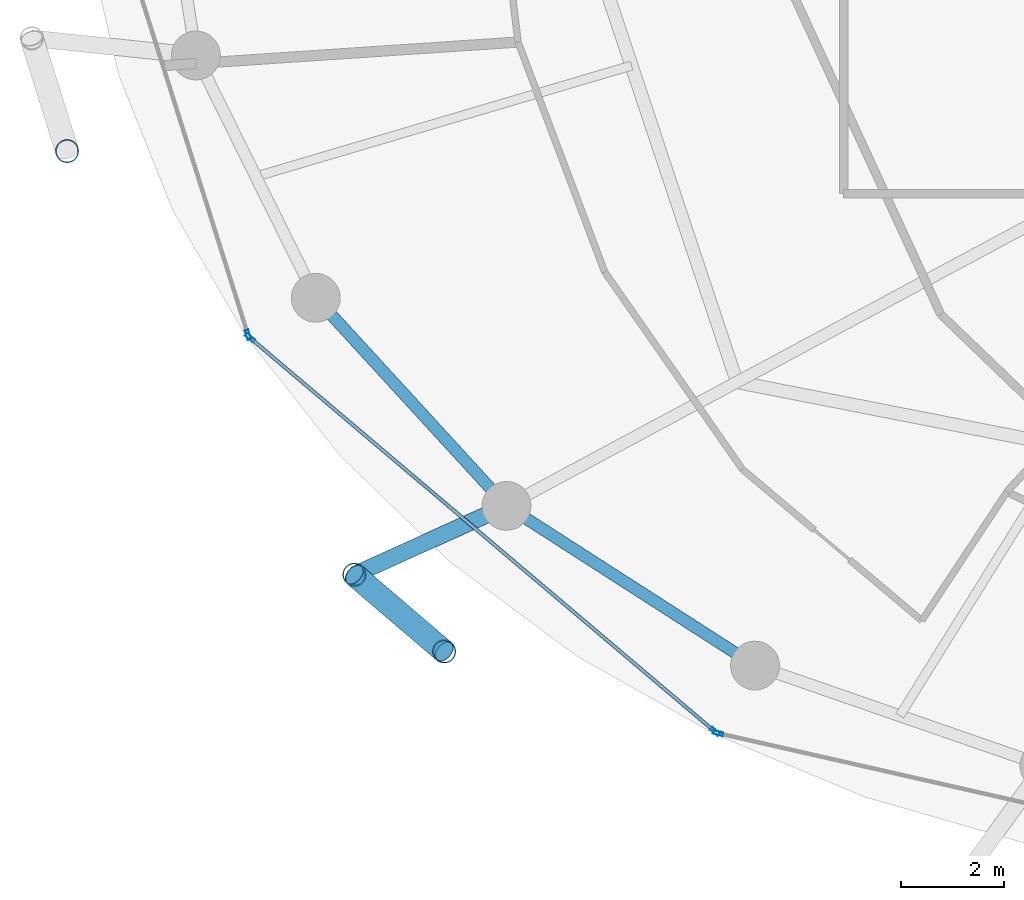
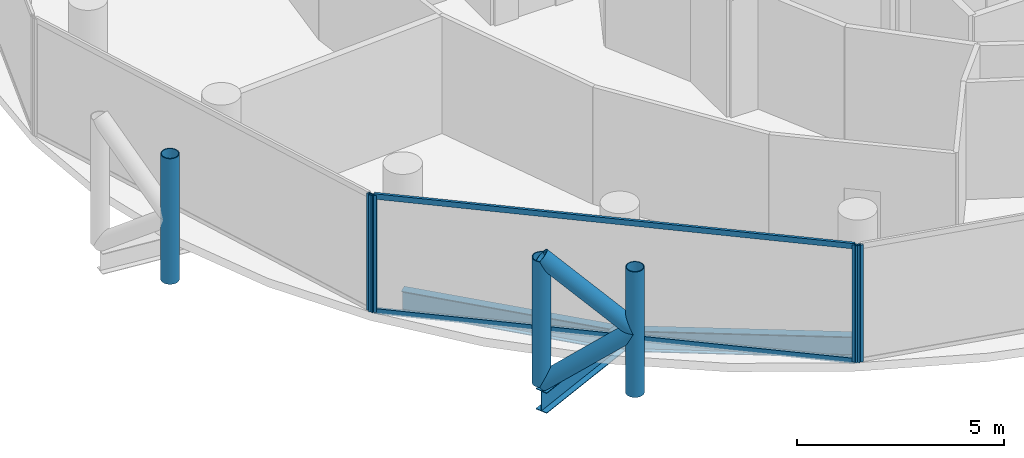
# One storey, part 2 of 26: 11 members, 3 beams, 3 elements without a shape of their own.
"""IFC4 building model written with IfcOpenShell, lengths in metres."""

from ifc_helpers import new_model, si_unit, direction, frame, origin, origin_2d, place, context, subcontext, project, spatial, hollow_rectangle, hollow_circle, i_section, extrude, material, layer, layer_set, material_profile, profile_set, type_object, element, aggregate, save


model = new_model("IFC4")

# Units and contexts
model_context = context("Model", 3, precision=1e-05, world=origin(), true_north=direction((0.0, 1.0)))
body_context = subcontext(model_context, "Body", "Model", "MODEL_VIEW")
ifc_project = project(units=[si_unit("LENGTHUNIT", "METRE"), si_unit("AREAUNIT", "SQUARE_METRE"), si_unit("VOLUMEUNIT", "CUBIC_METRE"), si_unit("PLANEANGLEUNIT", "RADIAN"), si_unit("MASSUNIT", "GRAM", prefix="KILO")], contexts=[model_context])

# Site, building, storey
site_placement = place(None, origin())
site = spatial("IfcSite", under=ifc_project, at=site_placement, CompositionType="ELEMENT")
building_placement = place(site_placement, origin())
building = spatial("IfcBuilding", under=site, at=building_placement, Name="Nuhasar Tower", CompositionType="ELEMENT")
storey_placement = place(building_placement, frame((0.0, 0.0, 155.25)))
storey = spatial("IfcBuildingStorey", under=building, at=storey_placement, Name="L37", CompositionType="ELEMENT", Elevation=155.25)

# Beams
ifc_material_1 = material(Name="Steel S355", Category="steel")
ifc_material_profile_1 = material_profile(ifc_material_1, i_section(OverallWidth=0.22998046875, OverallDepth=0.616943359375, WebThickness=0.01318359375, FlangeThickness=0.022216796875, at=origin_2d()), Name="W24X94")
ifc_profile_set_1 = profile_set([ifc_material_profile_1], Name="Steel S355")
beam_type_1 = type_object("IfcBeamType", Name="BM-RING-W24X94", PredefinedType="SPANDREL", material=ifc_profile_set_1)
beam_1_placement = place(storey_placement, frame((18.778076171875, 17.02490234375, -0.55908203125), z_axis=(0.675676316545, -0.737198423262, 0.0), x_axis=(0.737198423262, 0.675676316545, 0.0)))
element("IfcBeam", 1, at=beam_1_placement, inside=storey, type_object=beam_type_1, Name="L37 Perimeter Ring Spandrel 15", PredefinedType="SPANDREL", context=body_context, shape_type="SweptSolid", body=[
    extrude(i_section(OverallWidth=0.22998046875, OverallDepth=0.616943359375, WebThickness=0.01318359375, FlangeThickness=0.022216796875, at=origin_2d()), origin(), (0.0, 0.0, 1.0), 5.4921875),
])
beam_2_placement = place(storey_placement, frame((22.489013671875, 12.97607421875, -0.55908203125), z_axis=(0.841308170616, -0.540555789955, 0.0), x_axis=(0.540555789955, 0.841308170616, 0.0)))
element("IfcBeam", 2, at=beam_2_placement, inside=storey, type_object=beam_type_1, Name="L37 Perimeter Ring Spandrel 16", PredefinedType="SPANDREL", context=body_context, shape_type="SweptSolid", body=[
    extrude(i_section(OverallWidth=0.22998046875, OverallDepth=0.616943359375, WebThickness=0.01318359375, FlangeThickness=0.022216796875, at=origin_2d()), origin(), (0.0, 0.0, 1.0), 5.748046875),
])
ifc_material_profile_2 = material_profile(ifc_material_1, i_section(OverallWidth=0.323974609375, OverallDepth=0.611083984375, WebThickness=0.0126953125, FlangeThickness=0.01904296875, at=origin_2d()), Name="W24X104")
ifc_profile_set_2 = profile_set([ifc_material_profile_2], Name="Steel S355")
beam_type_2 = type_object("IfcBeamType", Name="BM-TIE-W24X104", PredefinedType="BEAM", material=ifc_profile_set_2)
beam_3_placement = place(storey_placement, frame((22.489013671875, 12.97607421875, -0.554931640625), z_axis=(-0.911211381786, -0.411939094653, 0.0), x_axis=(0.411939094653, -0.911211381786, 0.0)))
element("IfcBeam", 3, at=beam_3_placement, inside=storey, type_object=beam_type_2, Name="L37 Exoskeleton Node Tie Beam 08", PredefinedType="BEAM", context=body_context, shape_type="SweptSolid", body=[
    extrude(i_section(OverallWidth=0.323974609375, OverallDepth=0.611083984375, WebThickness=0.0126953125, FlangeThickness=0.01904296875, at=origin_2d()), origin(), (0.0, 0.0, 1.0), 3.248291015625),
])

# Curtain wall, member
ifc_material_2 = material(Name="Aluminium 6063-T6", Category="aluminium")
ifc_layer = layer(ifc_material_2, 0.199951171875)
ifc_layer_set = layer_set([ifc_layer], Name="Aluminium 6063-T6")
curtain_wall_type = type_object("IfcCurtainWallType", Name="CW-Z2-HTL", PredefinedType="NOTDEFINED", material=ifc_layer_set)
curtain_wall_1_placement = place(storey_placement, origin())
curtain_wall_1 = element("IfcCurtainWall", 4, at=curtain_wall_1_placement, inside=storey, type_object=curtain_wall_type, Name="L37 Unitised Curtain Wall 07", PredefinedType="NOTDEFINED")
ifc_material_profile_3 = material_profile(ifc_material_2, hollow_rectangle(XDim=0.070068359375, YDim=0.199951171875, WallThickness=0.0048828125, at=origin_2d()), Name="CWM-3")
ifc_profile_set_3 = profile_set([ifc_material_profile_3], Name="Aluminium 6063-T6")
member_type_1 = type_object("IfcMemberType", Name="CW-MUL-S3", PredefinedType="MULLION", material=ifc_profile_set_3)
member_1_placement = place(storey_placement, frame((17.46044921875, 16.303466796875, 0.0), z_axis=(0.0, 0.0, 1.0), x_axis=(0.953433389233, 0.301603667577, 0.0)))
member_1 = element("IfcMember", 5, at=member_1_placement, type_object=member_type_1, Name="CW-Z2 mullion 2", PredefinedType="MULLION", context=body_context, shape_type="SweptSolid", body=[
    extrude(hollow_rectangle(XDim=0.070068359375, YDim=0.199951171875, WallThickness=0.0048828125, at=origin_2d()), origin(), (0.0, 0.0, 1.0), 3.449951171875),
])
aggregate(curtain_wall_1, [member_1])

# Curtain wall, members
curtain_wall_2_placement = place(storey_placement, origin())
curtain_wall_2 = element("IfcCurtainWall", 6, at=curtain_wall_2_placement, inside=storey, type_object=curtain_wall_type, Name="L37 Unitised Curtain Wall 08", PredefinedType="NOTDEFINED")
member_2_placement = place(storey_placement, frame((17.497802734375, 16.247314453125, 0.0), z_axis=(0.0, 0.0, 1.0), x_axis=(0.646374438324, 0.763020370292, 0.0)))
member_2 = element("IfcMember", 7, at=member_2_placement, type_object=member_type_1, Name="CW-Z2 mullion 1", PredefinedType="MULLION", context=body_context, shape_type="SweptSolid", body=[
    extrude(hollow_rectangle(XDim=0.070068359375, YDim=0.199951171875, WallThickness=0.0048828125, at=origin_2d()), origin(), (0.0, 0.0, 1.0), 3.449951171875),
])
member_3_placement = place(storey_placement, frame((26.543212890625, 8.584716796875, 0.0), z_axis=(0.0, 0.0, 1.0), x_axis=(0.646374438324, 0.763020370292, 0.0)))
member_3 = element("IfcMember", 8, at=member_3_placement, type_object=member_type_1, Name="CW-Z2 mullion 2", PredefinedType="MULLION", context=body_context, shape_type="SweptSolid", body=[
    extrude(hollow_rectangle(XDim=0.070068359375, YDim=0.199951171875, WallThickness=0.0048828125, at=origin_2d()), origin(), (0.0, 0.0, 1.0), 3.449951171875),
])

# Curtain wall, member
curtain_wall_3_placement = place(storey_placement, origin())
curtain_wall_3 = element("IfcCurtainWall", 9, at=curtain_wall_3_placement, inside=storey, type_object=curtain_wall_type, Name="L37 Unitised Curtain Wall 09", PredefinedType="NOTDEFINED")
member_4_placement = place(storey_placement, frame((26.604248046875, 8.55419921875, 0.0), z_axis=(0.0, 0.0, 1.0), x_axis=(0.22139729566, 0.975183694221, 0.0)))
member_4 = element("IfcMember", 10, at=member_4_placement, type_object=member_type_1, Name="CW-Z2 mullion 1", PredefinedType="MULLION", context=body_context, shape_type="SweptSolid", body=[
    extrude(hollow_rectangle(XDim=0.070068359375, YDim=0.199951171875, WallThickness=0.0048828125, at=origin_2d()), origin(), (0.0, 0.0, 1.0), 3.449951171875),
])
aggregate(curtain_wall_3, [member_4])

# Member
ifc_material_profile_4 = material_profile(ifc_material_2, hollow_rectangle(XDim=0.070068359375, YDim=0.159912109375, WallThickness=0.00439453125, at=origin_2d()), Name="CWT-3")
ifc_profile_set_4 = profile_set([ifc_material_profile_4], Name="Aluminium 6063-T6")
member_type_2 = type_object("IfcMemberType", Name="CW-TRN-S3", PredefinedType="USERDEFINED", material=ifc_profile_set_4)
member_5_placement = place(storey_placement, frame((17.5244140625, 16.224853515625, 0.034912109375), z_axis=(0.763013698099, -0.646382314511, 0.0), x_axis=(0.646382314511, 0.763013698099, 0.0)))
member_5 = element("IfcMember", 11, at=member_5_placement, type_object=member_type_2, Name="CW-Z2 transom 1.1", ObjectType="TRANSOM", PredefinedType="USERDEFINED", context=body_context, shape_type="SweptSolid", body=[
    extrude(hollow_rectangle(XDim=0.070068359375, YDim=0.159912109375, WallThickness=0.00439453125, at=origin_2d()), origin(), (0.0, 0.0, 1.0), 11.78515625),
])

member_6_placement = place(storey_placement, frame((17.5244140625, 16.224853515625, 3.4150390625), z_axis=(0.763013698099, -0.646382314511, 0.0), x_axis=(0.646382314511, 0.763013698099, 0.0)))
member_6 = element("IfcMember", 12, at=member_6_placement, type_object=member_type_2, Name="CW-Z2 transom 1.2", ObjectType="TRANSOM", PredefinedType="USERDEFINED", context=body_context, shape_type="SweptSolid", body=[
    extrude(hollow_rectangle(XDim=0.070068359375, YDim=0.159912109375, WallThickness=0.00439453125, at=origin_2d()), origin(), (0.0, 0.0, 1.0), 11.78515625),
])

aggregate(curtain_wall_2, [member_2, member_3, member_5, member_6])

# Members
ifc_material_3 = material(Name="Steel S460", Category="steel")
ifc_material_profile_5 = material_profile(ifc_material_3, hollow_circle(Radius=0.228515625, WallThickness=0.022216796875, at=origin_2d()), Name="HSS457X22.2")
ifc_profile_set_5 = profile_set([ifc_material_profile_5], Name="Steel S460")
member_type_3 = type_object("IfcMemberType", Name="EXO-BRONZE-457", PredefinedType="BRACE", material=ifc_profile_set_5)
for number, where, z_axis, x_axis, name in (
    (13, (13.93994140625, 19.87890625, 0.0), (0.0, 0.0, 1.0), (1.0, 0.0, 0.0), "L37 Exoskeleton Chord Column EC-07B"),
    (14, (19.529052734375, 11.637939453125, 0.0), (0.0, 0.0, 1.0), (1.0, 0.0, 0.0), "L37 Exoskeleton Chord Column EC-08A"),
    (15, (21.277099609375, 10.14306640625, 0.0), (0.0, 0.0, 1.0), (1.0, 0.0, 0.0), "L37 Exoskeleton Chord Column EC-08B"),
):
    element("IfcMember", number, at=place(storey_placement, frame(where, z_axis=z_axis, x_axis=x_axis)), inside=storey, type_object=member_type_3, Name=name, PredefinedType="BRACE", context=body_context, shape_type="SweptSolid", body=[
        extrude(hollow_circle(Radius=0.228515625, WallThickness=0.022216796875, at=origin_2d()), origin(), (0.0, 0.0, 1.0), 3.699951171875),
    ])
member_7_placement = place(storey_placement, frame((19.529052734375, 11.637939453125, 0.0), z_axis=(0.592195175458, -0.506426125604, 0.626767463634), x_axis=(0.649925557156, 0.7599978751, 0.0)))
element("IfcMember", 16, at=member_7_placement, inside=storey, type_object=member_type_3, Name="L37 Bronze Diagrid Brace W1-08", PredefinedType="BRACE", context=body_context, shape_type="SweptSolid", body=[
    extrude(hollow_circle(Radius=0.228515625, WallThickness=0.022216796875, at=origin_2d()), origin(), (0.0, 0.0, 1.0), 2.951904296875),
])
member_8_placement = place(storey_placement, frame((21.277099609375, 10.14306640625, 1.85009765625), z_axis=(-0.592225874743, 0.506452378638, 0.626717242029), x_axis=(-0.649925557156, -0.7599978751, 0.0)))
element("IfcMember", 17, at=member_8_placement, inside=storey, type_object=member_type_3, Name="L37 Bronze Diagrid Brace W2-08", PredefinedType="BRACE", context=body_context, shape_type="SweptSolid", body=[
    extrude(hollow_circle(Radius=0.228515625, WallThickness=0.022216796875, at=origin_2d()), origin(), (0.0, 0.0, 1.0), 2.95166015625),
])

save(model, "model.ifc")
